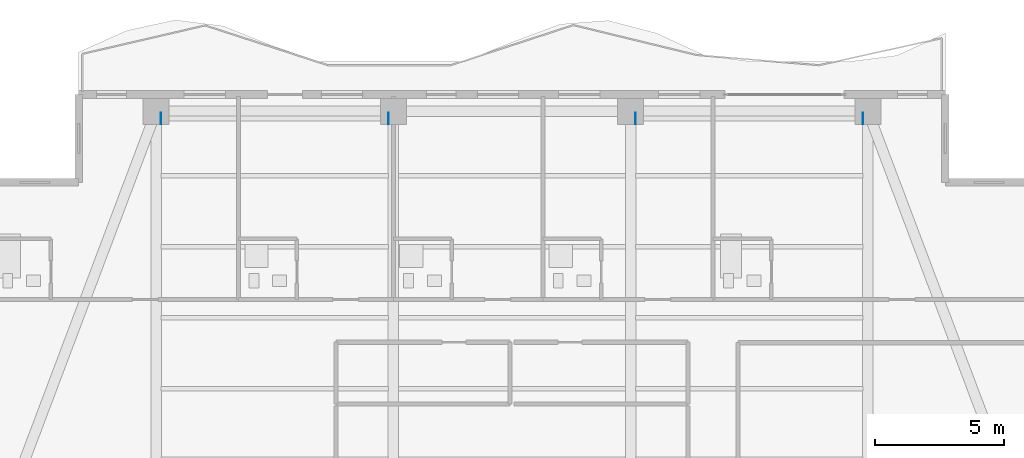
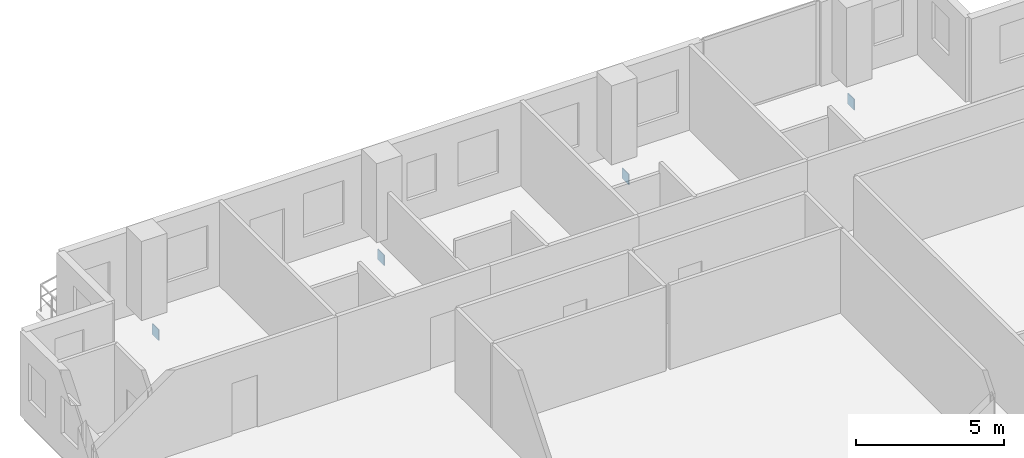
# One storey, part 19 of 28: 4 plates.
"""IFC4 building model written with IfcOpenShell, lengths in metres."""

from ifc_helpers import new_model, si_unit, direction, frame, origin, origin_2d, place, context, subcontext, project, spatial, rectangle, extrude, material, layer, layer_set, type_object, element, save


model = new_model("IFC4")

# Units and contexts
model_context = context("Model", 3, precision=1e-05, world=origin(), true_north=direction((0.0, 1.0)))
body_context = subcontext(model_context, "Body", "Model", "MODEL_VIEW")
ifc_project = project(units=[si_unit("LENGTHUNIT", "METRE"), si_unit("AREAUNIT", "SQUARE_METRE"), si_unit("VOLUMEUNIT", "CUBIC_METRE"), si_unit("PLANEANGLEUNIT", "RADIAN"), si_unit("MASSUNIT", "GRAM", prefix="KILO")], contexts=[model_context])

# Site, building, storey
site_placement = place(None, origin())
site = spatial("IfcSite", under=ifc_project, at=site_placement, CompositionType="ELEMENT")
building_placement = place(site_placement, origin())
building = spatial("IfcBuilding", under=site, at=building_placement, Name="Zuhayl Quay Hotel", CompositionType="ELEMENT")
storey_placement = place(building_placement, frame((0.0, 0.0, 239.64990234375)))
storey = spatial("IfcBuildingStorey", under=building, at=storey_placement, Name="L60", CompositionType="ELEMENT", Elevation=239.64990234375)

# Plates
ifc_material = material(Name="Steel ASTM A572 Grade 50", Category="steel")
ifc_layer = layer(ifc_material, 0.030029296875, Name="Steel ASTM A572 Grade 50", Category="steel")
ifc_layer_set = layer_set([ifc_layer], Name="Steel ASTM A572 Grade 50")
plate_type = type_object("IfcPlateType", Name="TP_CAP_PLATE_30", PredefinedType="USERDEFINED", material=ifc_layer_set)
for number, where, z_axis, x_axis, name in (
    (1, (-13.612060546875, 38.070068359375, -0.6298828125), (0.0, 0.0, 1.0), (-1.0, 0.0, 0.0), "Truss Node Cap Assembly KN2"),
    (2, (-4.7880859375, 38.070068359375, -0.6298828125), (0.0, 0.0, 1.0), (1.0, 0.0, 0.0), "Truss Node Cap Assembly KN2"),
    (3, (4.7880859375, 38.070068359375, -0.6298828125), (0.0, 0.0, 1.0), (-1.0, 0.0, 0.0), "Truss Node Cap Assembly KN2"),
    (4, (13.612060546875, 38.070068359375, -0.6298828125), (0.0, 0.0, 1.0), (1.0, 0.0, 0.0), "Truss Node Cap Assembly KN2"),
):
    element("IfcPlate", number, at=place(storey_placement, frame(where, z_axis=z_axis, x_axis=x_axis)), inside=storey, type_object=plate_type, Name=name, ObjectType="GUSSET PLATE", PredefinedType="USERDEFINED", context=body_context, shape_type="SweptSolid", body=[
        extrude(rectangle(XDim=0.030029296875, YDim=0.43994140625, at=origin_2d()), origin(), (0.0, 0.0, 1.0), 0.43994140625),
    ])

save(model, "model.ifc")
